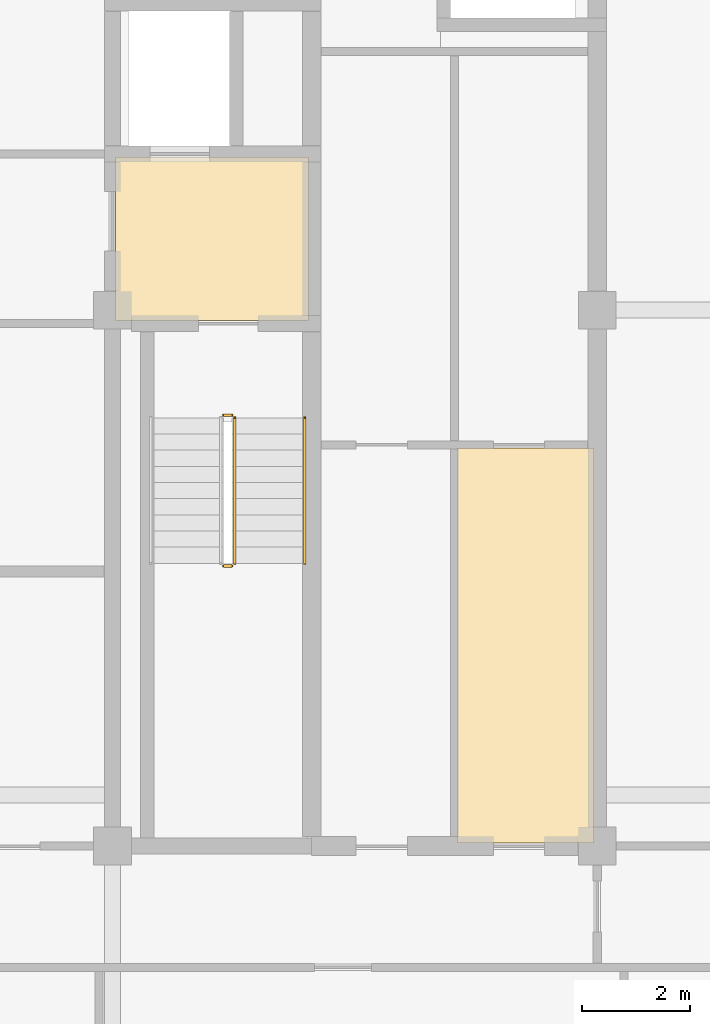
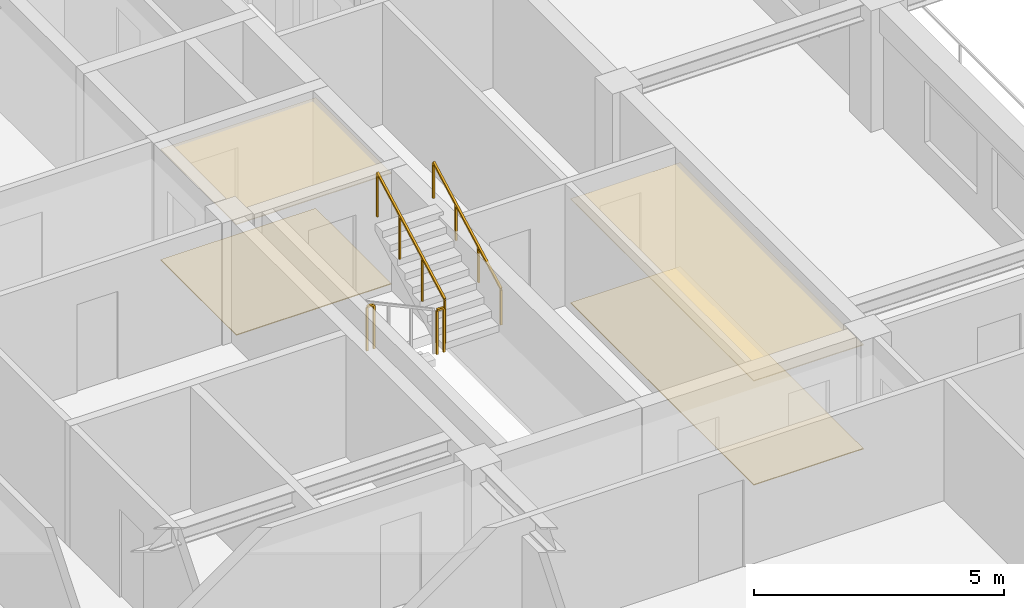
# One storey, part 10 of 11: 4 coverings, 4 railings.
"""IFC4 building model written with IfcOpenShell, lengths in metres."""

import ifcopenshell
import ifcopenshell.guid

model = None  # the IFC model being written
_history = None  # IfcOwnerHistory: only IFC2X3 demands one
_inside = {}  # id of a spatial element -> (the spatial element, [elements in it])
_under = {}  # id of a project, library or spatial element -> (it, [spatial elements below it])
_declared = {}  # id of a project -> (the project, [libraries it declares])
_typed = {}  # id of a type object -> (the type object, [elements of that type])
_made_of = {}  # id of a material, layer set ... -> (it, [elements and type objects made of it])


def new_model(schema):
    """Start an empty IFC model of exactly this schema.

    Asked for "IFC4X3", IfcOpenShell would pick the latest addendum, in which some entities
    have other attributes; the version numbers below select the first issue.
    IFC2X3 requires an IfcOwnerHistory on every rooted entity: one is made here for all.
    """
    global model, _history
    if schema == "IFC4X3":
        model = ifcopenshell.file(schema_version=(4, 3, 0, 0))
    else:
        model = ifcopenshell.file(schema=schema)
    _inside.clear()
    _under.clear()
    _declared.clear()
    _typed.clear()
    _made_of.clear()
    _history = None
    if model.schema == "IFC2X3":
        org = make("IfcOrganization", Name="unknown")
        user = make(
            "IfcPersonAndOrganization",
            ThePerson=make("IfcPerson", FamilyName="unknown"),
            TheOrganization=org,
        )
        app = make(
            "IfcApplication",
            ApplicationDeveloper=org,
            Version="unknown",
            ApplicationFullName="unknown",
            ApplicationIdentifier="unknown",
        )
        _history = make(
            "IfcOwnerHistory",
            OwningUser=user,
            OwningApplication=app,
            ChangeAction="ADDED",
            CreationDate=0,
        )
    return model


def make(cls, **values):
    """One entity of the class cls with the attributes given. An attribute that is None is left unset."""
    return model.create_entity(
        cls, **{name: value for name, value in values.items() if value is not None}
    )


def rooted(cls, **values):
    """An entity with a GlobalId (a new one), such as an element, a storey or a relation."""
    return make(cls, GlobalId=ifcopenshell.guid.new(), OwnerHistory=_history, **values)


def si_unit(unit_type, name, prefix=None):
    """IfcSIUnit, for example si_unit("LENGTHUNIT", "METRE", prefix="MILLI")."""
    return make("IfcSIUnit", UnitType=unit_type, Prefix=prefix, Name=name)


def assignment(units):
    """IfcUnitAssignment: the units of a project."""
    return None if units is None else make("IfcUnitAssignment", Units=units)


def point(xyz):
    """IfcCartesianPoint."""
    return None if xyz is None else make("IfcCartesianPoint", Coordinates=xyz)


def direction(xyz):
    """IfcDirection."""
    return None if xyz is None else make("IfcDirection", DirectionRatios=xyz)


def frame(location, z_axis=None, x_axis=None):
    """IfcAxis2Placement3D, a coordinate frame: its origin and axes. An axis left out is left unset."""
    return make(
        "IfcAxis2Placement3D",
        Location=point(location),
        Axis=direction(z_axis),
        RefDirection=direction(x_axis),
    )


def frame_2d(location, x_axis=None):
    """IfcAxis2Placement2D, a coordinate frame in the plane: its origin and x axis."""
    return make(
        "IfcAxis2Placement2D", Location=point(location), RefDirection=direction(x_axis)
    )


def origin():
    """The frame at (0, 0, 0) with its axes left unset."""
    return frame((0.0, 0.0, 0.0))


def origin_2d():
    """The frame at (0, 0) in the plane with its x axis left unset."""
    return frame_2d((0.0, 0.0))


def place(relative_to, where):
    """IfcLocalPlacement: puts the frame where relative to a parent placement (None: the world)."""
    return make(
        "IfcLocalPlacement", PlacementRelTo=relative_to, RelativePlacement=where
    )


def context(
    kind, dimensions, precision=None, world=None, true_north=None, identifier=None
):
    """IfcGeometricRepresentationContext, for example the 3D "Model" context."""
    return make(
        "IfcGeometricRepresentationContext",
        ContextIdentifier=identifier,
        ContextType=kind,
        CoordinateSpaceDimension=dimensions,
        Precision=precision,
        WorldCoordinateSystem=world,
        TrueNorth=true_north,
    )


def subcontext(parent, identifier, kind, view, scale=None):
    """IfcGeometricRepresentationSubContext, for example "Body" below "Model"."""
    return make(
        "IfcGeometricRepresentationSubContext",
        ContextIdentifier=identifier,
        ContextType=kind,
        ParentContext=parent,
        TargetScale=scale,
        TargetView=view,
    )


def project(units=None, contexts=None):
    """IfcProject with its units and contexts."""
    return rooted(
        "IfcProject",
        Name="project",
        RepresentationContexts=contexts,
        UnitsInContext=assignment(units),
    )


def spatial(cls, under=None, at=None, **own):
    """A site, building, storey or space (cls), placed at a placement, below another one or the project."""
    s = rooted(cls, ObjectPlacement=at, **own)
    if under is not None:
        _under.setdefault(under.id(), (under, []))[1].append(s)
    return s


def polyline(points):
    """IfcPolyline through the points."""
    return make("IfcPolyline", Points=[point(p) for p in points])


def profile(cls, at=None, kind="AREA", **sizes):
    """A parametric profile (cls). Its sizes go by their IFC names, for example OverallWidth=200.0."""
    return make(cls, ProfileType=kind, Position=at, **sizes)


def rectangle(**sizes):
    """IfcRectangleProfileDef."""
    return profile("IfcRectangleProfileDef", **sizes)


def outline(outer, holes=None, kind="AREA"):
    """IfcArbitraryClosedProfileDef: a profile drawn as a closed curve; with holes, ...WithVoids."""
    if holes is None:
        return make("IfcArbitraryClosedProfileDef", ProfileType=kind, OuterCurve=outer)
    return make(
        "IfcArbitraryProfileDefWithVoids",
        ProfileType=kind,
        OuterCurve=outer,
        InnerCurves=holes,
    )


def extrude(swept, where, along, depth):
    """IfcExtrudedAreaSolid: the profile swept, set in the frame where, extruded along a direction by depth."""
    return make(
        "IfcExtrudedAreaSolid",
        SweptArea=swept,
        Position=where,
        ExtrudedDirection=direction(along),
        Depth=depth,
    )


def shape(context_of_items, identifier, shape_type, items):
    """IfcShapeRepresentation: the items that make up one representation, for example the "Body"."""
    return make(
        "IfcShapeRepresentation",
        ContextOfItems=context_of_items,
        RepresentationIdentifier=identifier,
        RepresentationType=shape_type,
        Items=items,
    )


def material(Name=None, Category=None):
    """IfcMaterial."""
    return make("IfcMaterial", Name=Name, Category=Category)


def layer(
    of_material, thickness, ventilated=None, Name=None, Category=None, Priority=None
):
    """IfcMaterialLayer: one layer of a wall or slab, of a material (None: an air gap)."""
    return make(
        "IfcMaterialLayer",
        Material=of_material,
        LayerThickness=thickness,
        IsVentilated=ventilated,
        Name=Name,
        Category=Category,
        Priority=Priority,
    )


def layer_set(layers, Name=None):
    """IfcMaterialLayerSet."""
    return make("IfcMaterialLayerSet", MaterialLayers=layers, LayerSetName=Name)


def made_of(thing, what):
    """Note that an element or type object is made of a material, layer set ...; save() writes the relation."""
    if what is not None:
        _made_of.setdefault(what.id(), (what, []))[1].append(thing)
    return thing


def type_object(cls, material=None, **own):
    """A type object (cls), such as IfcWallType, which elements share."""
    return made_of(rooted(cls, **own), material)


def element(
    cls,
    number,
    at=None,
    inside=None,
    cuts=None,
    type_object=None,
    material=None,
    context=None,
    identifier="Body",
    shape_type=None,
    held_by="IfcProductDefinitionShape",
    body=None,
    shapes=None,
    **own,
):
    """One element of the class cls, such as IfcWall. Its Tag is "e" and its number.

    at: its placement. inside: the storey or other place that contains it. cuts: it is an
    opening in that element (IfcRelVoidsElement). A single representation is given by context,
    identifier, shape_type and body (its items); several are given by shapes. held_by: the class
    of the entity that holds the representations. save() writes the other relations.
    """
    e = rooted(cls, Tag="e%d" % number, ObjectPlacement=at, **own)
    if body is not None:
        shapes = [shape(context, identifier, shape_type, body)]
    if shapes is not None:
        e.Representation = make(held_by, Representations=shapes)
    if inside is not None:
        _inside.setdefault(inside.id(), (inside, []))[1].append(e)
    if cuts is not None:
        rooted(
            "IfcRelVoidsElement", RelatingBuildingElement=cuts, RelatedOpeningElement=e
        )
    if type_object is not None:
        _typed.setdefault(type_object.id(), (type_object, []))[1].append(e)
    return made_of(e, material)


def aggregate(whole, parts):
    """IfcRelAggregates: a whole, such as a stair, and the parts it consists of."""
    return rooted("IfcRelAggregates", RelatingObject=whole, RelatedObjects=parts)


def save(model, path):
    """Write the relations noted so far, then the file.

    IfcRelAggregates (storeys below a building ...), IfcRelContainedInSpatialStructure (elements
    in a storey), IfcRelDefinesByType, IfcRelAssociatesMaterial and IfcRelDeclares: one each for
    every whole, place, type object, material and project.
    """
    for whole, parts in _under.values():
        aggregate(whole, parts)
    for where, things in _inside.values():
        rooted(
            "IfcRelContainedInSpatialStructure",
            RelatedElements=things,
            RelatingStructure=where,
        )
    for kind, things in _typed.values():
        rooted("IfcRelDefinesByType", RelatedObjects=things, RelatingType=kind)
    for what, things in _made_of.values():
        rooted("IfcRelAssociatesMaterial", RelatedObjects=things, RelatingMaterial=what)
    for by, libraries in _declared.values():
        rooted("IfcRelDeclares", RelatingContext=by, RelatedDefinitions=libraries)
    model.write(path)


model = new_model("IFC4")

# Units and contexts
model_context = context("Model", 3, precision=1e-05, world=origin(), true_north=direction((0.0, 1.0)))
body_context = subcontext(model_context, "Body", "Model", "MODEL_VIEW")
ifc_project = project(units=[si_unit("LENGTHUNIT", "METRE"), si_unit("AREAUNIT", "SQUARE_METRE"), si_unit("VOLUMEUNIT", "CUBIC_METRE"), si_unit("PLANEANGLEUNIT", "RADIAN"), si_unit("MASSUNIT", "GRAM", prefix="KILO")], contexts=[model_context])

# Site, building, storey
site_placement = place(None, origin())
site = spatial("IfcSite", under=ifc_project, at=site_placement, CompositionType="ELEMENT")
building_placement = place(site_placement, origin())
building = spatial("IfcBuilding", under=site, at=building_placement, Name="Zulmaris Gate Convention Tower", CompositionType="ELEMENT")
storey_placement = place(building_placement, frame((0.0, 0.0, 242.969970703125)))
storey = spatial("IfcBuildingStorey", under=building, at=storey_placement, Name="L64", CompositionType="ELEMENT", Elevation=242.969970703125)

# Coverings
ifc_material_1 = material(Name="Mineral Fibre Acoustic Ceiling Tile")
ifc_layer_1 = layer(ifc_material_1, 0.02001953125, Name="Mineral Fibre Acoustic Ceiling Tile")
ifc_layer_set_1 = layer_set([ifc_layer_1], Name="Mineral Fibre Acoustic Ceiling Tile")
covering_type_1 = type_object("IfcCoveringType", Name="CLG-ACOUSTIC-600", PredefinedType="CEILING", material=ifc_layer_set_1)
covering_1_placement = place(storey_placement, frame((0.0, 0.0, 2.699951171875)))
element("IfcCovering", 1, at=covering_1_placement, inside=storey, type_object=covering_type_1, Name="CLG-L64-R08", PredefinedType="CEILING", context=body_context, shape_type="SweptSolid", body=[
    extrude(outline(polyline([(11.06005859375, -0.18994140625), (14.639892578125, -0.18994140625), (14.639892578125, 2.840087890625), (11.06005859375, 2.840087890625), (11.06005859375, -0.18994140625)])), origin(), (0.0, 0.0, 1.0), 0.02001953125),
])
covering_2_placement = place(storey_placement, frame((0.0, 0.0, 2.5380859375)))
element("IfcCovering", 2, at=covering_2_placement, inside=storey, type_object=covering_type_1, Name="CLG-L64-R27", PredefinedType="CEILING", context=body_context, shape_type="SweptSolid", body=[
    extrude(outline(polyline([(17.409912109375, -9.889892578125), (19.93994140625, -9.889892578125), (19.93994140625, -2.56005859375), (17.409912109375, -2.56005859375), (17.409912109375, -9.889892578125)])), origin(), (0.0, 0.0, 1.0), 0.02001953125),
])
ifc_material_2 = material(Name="Woven Acoustic Wool Carpet Tile")
ifc_layer_2 = layer(ifc_material_2, 0.02001953125, Name="Woven Acoustic Wool Carpet Tile")
ifc_layer_set_2 = layer_set([ifc_layer_2], Name="Woven Acoustic Wool Carpet Tile")
covering_type_2 = type_object("IfcCoveringType", Name="FLR-CARPET-12", PredefinedType="FLOORING", material=ifc_layer_set_2)
covering_3_placement = place(storey_placement, origin())
element("IfcCovering", 3, at=covering_3_placement, inside=storey, type_object=covering_type_2, Name="FLR-L64-R08", PredefinedType="FLOORING", context=body_context, shape_type="SweptSolid", body=[
    extrude(outline(polyline([(11.06005859375, -0.18994140625), (14.639892578125, -0.18994140625), (14.639892578125, 2.840087890625), (11.06005859375, 2.840087890625), (11.06005859375, -0.18994140625)])), origin(), (0.0, 0.0, 1.0), 0.02001953125),
])
covering_4_placement = place(storey_placement, origin())
element("IfcCovering", 4, at=covering_4_placement, inside=storey, type_object=covering_type_2, Name="FLR-L64-R27", PredefinedType="FLOORING", context=body_context, shape_type="SweptSolid", body=[
    extrude(outline(polyline([(17.409912109375, -9.889892578125), (19.93994140625, -9.889892578125), (19.93994140625, -2.56005859375), (17.409912109375, -2.56005859375), (17.409912109375, -9.889892578125)])), origin(), (0.0, 0.0, 1.0), 0.02001953125),
])

# Railings
ifc_material_3 = material(Name="Painted Galvanised Steel", Category="steel")
railing_type_1 = type_object("IfcRailingType", Name="RL-STG-1150", PredefinedType="GUARDRAIL", material=ifc_material_3)
railing_1_placement = place(storey_placement, frame((13.06005859375, -4.75, 1.614990234375)))
element("IfcRailing", 5, at=railing_1_placement, inside=storey, type_object=railing_type_1, Name="L64 ST-2 stair guard 2", PredefinedType="GUARDRAIL", context=body_context, shape_type="SweptSolid", body=[
    extrude(rectangle(XDim=0.048095703125, YDim=0.048095703125, at=origin_2d()), frame((0.0, 0.0, 1.076171875), z_axis=(1.0, 0.0, 0.0), x_axis=(0.0, 1.0, 0.0)), (0.0, 0.0, 1.0), 0.159912109375),
    extrude(rectangle(XDim=0.0419921875, YDim=0.0419921875, at=origin_2d()), origin(), (0.0, 0.0, 1.0), 1.052001953125),
    extrude(rectangle(XDim=0.0419921875, YDim=0.0419921875, at=origin_2d()), frame((0.159912109375, 0.0, 0.0)), (0.0, 0.0, 1.0), 1.052001953125),
])
railing_2_placement = place(storey_placement, frame((13.27001953125, -4.699951171875, 1.776611328125)))
element("IfcRailing", 6, at=railing_2_placement, inside=storey, type_object=railing_type_1, Name="L64 ST-2 stair guard 3", PredefinedType="GUARDRAIL", context=body_context, shape_type="SweptSolid", body=[
    extrude(rectangle(XDim=0.048095703125, YDim=0.048095703125, at=origin_2d()), frame((0.0, 0.0, 1.076171875), z_axis=(0.0, 0.880532452117, 0.47398586558), x_axis=(-1.0, 0.0, 0.0)), (0.0, 0.0, 1.0), 3.066162109375),
    extrude(rectangle(XDim=0.0419921875, YDim=0.0419921875, at=origin_2d()), origin(), (0.0, 0.0, 1.0), 1.052001953125),
    extrude(rectangle(XDim=0.0419921875, YDim=0.0419921875, at=origin_2d()), frame((0.0, 0.89990234375, 0.484375)), (0.0, 0.0, 1.0), 1.052001953125),
    extrude(rectangle(XDim=0.0419921875, YDim=0.0419921875, at=origin_2d()), frame((0.0, 1.800048828125, 0.968994140625)), (0.0, 0.0, 1.0), 1.052001953125),
    extrude(rectangle(XDim=0.0419921875, YDim=0.0419921875, at=origin_2d()), frame((0.0, 2.699951171875, 1.453369140625)), (0.0, 0.0, 1.0), 1.052001953125),
])
railing_3_placement = place(storey_placement, frame((13.06005859375, -1.949951171875, 0.0)))
element("IfcRailing", 7, at=railing_3_placement, inside=storey, type_object=railing_type_1, Name="L64 ST-2 stair guard 4", PredefinedType="GUARDRAIL", context=body_context, shape_type="SweptSolid", body=[
    extrude(rectangle(XDim=0.048095703125, YDim=0.048095703125, at=origin_2d()), frame((0.0, 0.0, 1.076171875), z_axis=(1.0, 0.0, 0.0), x_axis=(0.0, 1.0, 0.0)), (0.0, 0.0, 1.0), 0.159912109375),
    extrude(rectangle(XDim=0.0419921875, YDim=0.0419921875, at=origin_2d()), origin(), (0.0, 0.0, 1.0), 1.052001953125),
    extrude(rectangle(XDim=0.0419921875, YDim=0.0419921875, at=origin_2d()), frame((0.159912109375, 0.0, 0.0)), (0.0, 0.0, 1.0), 1.052001953125),
])
ifc_material_4 = material(Name="Brushed Stainless Steel", Category="steel")
railing_type_2 = type_object("IfcRailingType", Name="RL-STH-900", PredefinedType="HANDRAIL", material=ifc_material_4)
railing_4_placement = place(storey_placement, frame((14.570068359375, -4.699951171875, 1.776611328125)))
element("IfcRailing", 8, at=railing_4_placement, inside=storey, type_object=railing_type_2, Name="L64 ST-2 stair handrail 2", PredefinedType="HANDRAIL", context=body_context, shape_type="SweptSolid", body=[
    extrude(rectangle(XDim=0.048095703125, YDim=0.048095703125, at=origin_2d()), frame((0.0, 0.0, 0.8759765625), z_axis=(0.0, 0.880532452117, 0.47398586558), x_axis=(-1.0, 0.0, 0.0)), (0.0, 0.0, 1.0), 3.066162109375),
    extrude(rectangle(XDim=0.0419921875, YDim=0.0419921875, at=origin_2d()), origin(), (0.0, 0.0, 1.0), 0.851806640625),
    extrude(rectangle(XDim=0.0419921875, YDim=0.0419921875, at=origin_2d()), frame((0.0, 0.89990234375, 0.484375)), (0.0, 0.0, 1.0), 0.851806640625),
    extrude(rectangle(XDim=0.0419921875, YDim=0.0419921875, at=origin_2d()), frame((0.0, 1.800048828125, 0.968994140625)), (0.0, 0.0, 1.0), 0.851806640625),
    extrude(rectangle(XDim=0.0419921875, YDim=0.0419921875, at=origin_2d()), frame((0.0, 2.699951171875, 1.453369140625)), (0.0, 0.0, 1.0), 0.851806640625),
])

save(model, "model.ifc")
